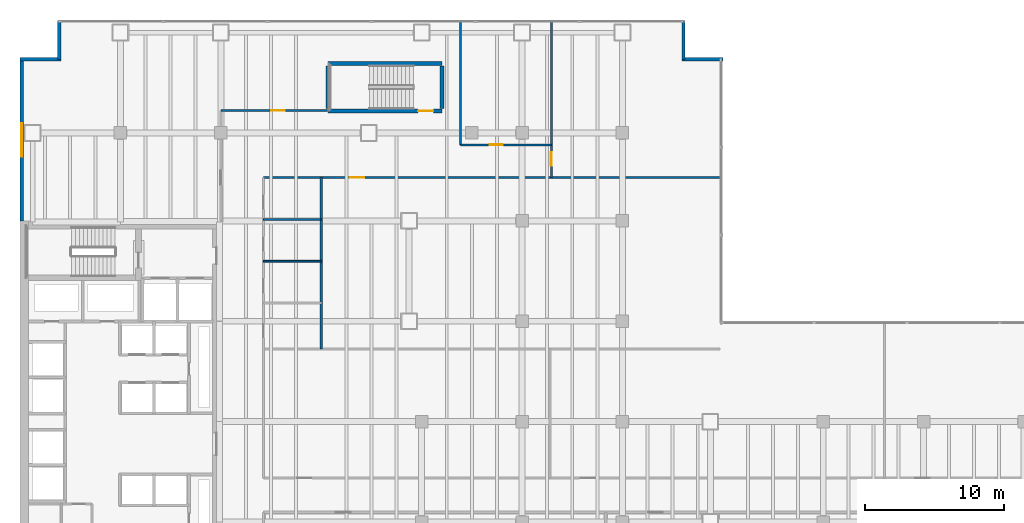
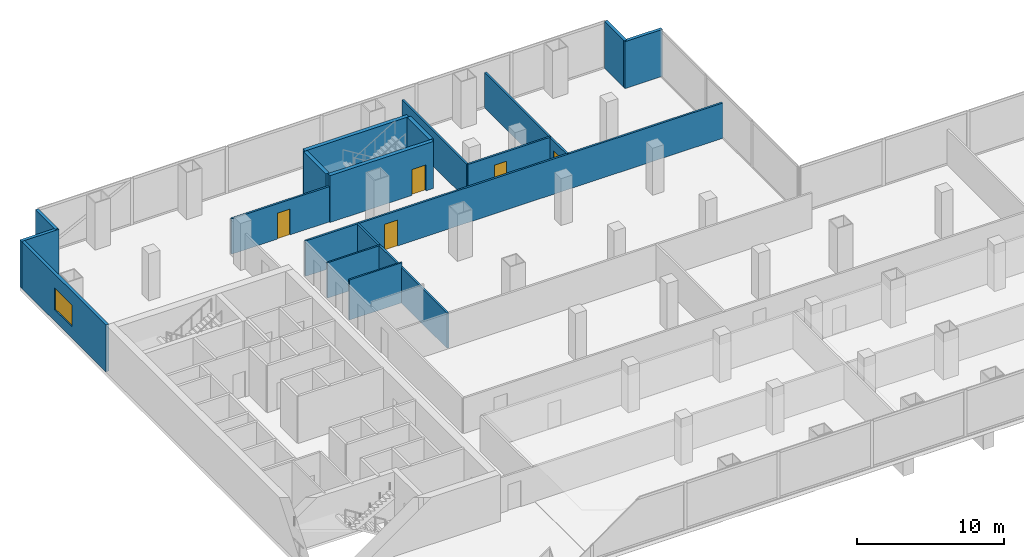
# One storey, part 29 of 34: 17 walls, 5 doors, 1 window, 6 openings.
"""IFC4 building model written with IfcOpenShell, lengths in metres."""

from ifc_helpers import new_model, si_unit, direction, frame, frame_2d, origin, place, context, subcontext, project, spatial, rectangle, extrude, material, layer, layer_set, type_object, element, fill, save


model = new_model("IFC4")

# Units and contexts
model_context = context("Model", 3, precision=1e-05, world=origin(), true_north=direction((0.0, 1.0)))
body_context = subcontext(model_context, "Body", "Model", "MODEL_VIEW")
ifc_project = project(units=[si_unit("LENGTHUNIT", "METRE"), si_unit("AREAUNIT", "SQUARE_METRE"), si_unit("VOLUMEUNIT", "CUBIC_METRE"), si_unit("PLANEANGLEUNIT", "RADIAN"), si_unit("MASSUNIT", "GRAM", prefix="KILO")], contexts=[model_context])

# Site, building, storey
site_placement = place(None, origin())
site = spatial("IfcSite", under=ifc_project, at=site_placement, CompositionType="ELEMENT")
building_placement = place(site_placement, origin())
building = spatial("IfcBuilding", under=site, at=building_placement, Name="Cobrela Telecom Tower", CompositionType="ELEMENT")
storey_placement = place(building_placement, frame((0.0, 0.0, 5.25)))
storey = spatial("IfcBuildingStorey", under=building, at=storey_placement, Name="L01", CompositionType="ELEMENT", Elevation=5.25)

# Wall, opening, window
ifc_material_1 = material(Name="Concrete C40/50", Category="concrete")
ifc_layer_1 = layer(ifc_material_1, 0.239990234375)
ifc_layer_set_1 = layer_set([ifc_layer_1], Name="Concrete C40/50")
wall_type_1 = type_object("IfcWallType", Name="WALL-EXT-300", PredefinedType="STANDARD", material=ifc_layer_set_1)
wall_1_placement = place(storey_placement, frame((0.1201171875, 36.0, 0.0), z_axis=(0.0, 0.0, 1.0), x_axis=(0.0, 1.0, 0.0)))
wall_1 = element("IfcWall", 1, at=wall_1_placement, inside=storey, type_object=wall_type_1, Name="L01 Insulated Facade Wall 04", PredefinedType="STANDARD", context=body_context, shape_type="SweptSolid", body=[
    extrude(rectangle(XDim=11.580078125, YDim=0.239990234375, at=frame_2d((5.7900390625, 0.0))), origin(), (0.0, 0.0, 1.0), 3.89990234375),
])
opening_1_placement = place(wall_1_placement, frame((4.590087890625, 0.0, 0.949951171875)))
opening_1 = element("IfcOpeningElement", 2, at=opening_1_placement, cuts=wall_1, Name="Opening WN-29", PredefinedType="OPENING", context=body_context, shape_type="SweptSolid", body=[
    extrude(rectangle(XDim=2.39990234375, YDim=1.800048828125, at=frame_2d((1.199951171875, 0.89990234375))), frame((0.0, 0.1318359375, 0.0), z_axis=(0.0, -1.0, 0.0), x_axis=(1.0, 0.0, 0.0)), (0.0, 0.0, 1.0), 0.263916015625),
])
ifc_material_2 = material(Name="Solar-Control Bronze Low-E Glass", Category="glass")
window_type = type_object("IfcWindowType", Name="WIN-MOD-2400", PartitioningType="SINGLE_PANEL", PredefinedType="WINDOW", material=ifc_material_2)
window_placement = place(opening_1_placement, origin())
window = element("IfcWindow", 3, at=window_placement, inside=storey, type_object=window_type, Name="L01 Modular Punched Facade Window 002", OverallHeight=1.800048828125, OverallWidth=2.39990234375, PartitioningType="SINGLE_PANEL", PredefinedType="WINDOW", context=body_context, shape_type="SweptSolid", body=[
    extrude(rectangle(XDim=2.39990234375, YDim=1.800048828125, at=frame_2d((1.199951171875, 0.89990234375))), frame((0.0, 0.030029296875, 0.0), z_axis=(0.0, -1.0, 0.0), x_axis=(1.0, 0.0, 0.0)), (0.0, 0.0, 1.0), 0.06005859375),
])
fill(opening_1, window)

# Walls
wall_2_placement = place(storey_placement, frame((0.0, 47.580078125, 0.0), z_axis=(0.0, 0.0, 1.0), x_axis=(1.0, 0.0, 0.0)))
element("IfcWall", 4, at=wall_2_placement, inside=storey, type_object=wall_type_1, Name="L01 Insulated Facade Wall 05", PredefinedType="STANDARD", context=body_context, shape_type="SweptSolid", body=[
    extrude(rectangle(XDim=2.93994140625, YDim=0.239990234375, at=frame_2d((1.469970703125, 0.0))), origin(), (0.0, 0.0, 1.0), 3.89990234375),
])
for number, where, z_axis, x_axis, name in (
    (5, (2.820068359375, 47.580078125, 0.0), (0.0, 0.0, 1.0), (0.0, 1.0, 0.0), "L01 Insulated Facade Wall 06"),
    (6, (47.580078125, 50.280029296875, 0.0), (0.0, 0.0, 1.0), (0.0, -1.0, 0.0), "L01 Insulated Facade Wall 08"),
):
    element("IfcWall", number, at=place(storey_placement, frame(where, z_axis=z_axis, x_axis=x_axis)), inside=storey, type_object=wall_type_1, Name=name, PredefinedType="STANDARD", context=body_context, shape_type="SweptSolid", body=[
        extrude(rectangle(XDim=2.699951171875, YDim=0.239990234375, at=frame_2d((1.35009765625, 0.0))), origin(), (0.0, 0.0, 1.0), 3.89990234375),
    ])
wall_3_placement = place(storey_placement, frame((47.4599609375, 47.580078125, 0.0), z_axis=(0.0, 0.0, 1.0), x_axis=(1.0, 0.0, 0.0)))
element("IfcWall", 7, at=wall_3_placement, inside=storey, type_object=wall_type_1, Name="L01 Insulated Facade Wall 09", PredefinedType="STANDARD", context=body_context, shape_type="SweptSolid", body=[
    extrude(rectangle(XDim=2.93994140625, YDim=0.239990234375, at=frame_2d((1.469970703125, 0.0))), origin(), (0.0, 0.0, 1.0), 3.89990234375),
])
ifc_material_3 = material(Name="Fire-Rated Gypsum Plasterboard")
ifc_layer_2 = layer(ifc_material_3, 0.125)
ifc_layer_set_2 = layer_set([ifc_layer_2], Name="Fire-Rated Gypsum Plasterboard")
wall_type_2 = type_object("IfcWallType", Name="WALL-PART-125", PredefinedType="PARTITIONING", material=ifc_layer_set_2)
wall_4_placement = place(storey_placement, frame((17.449951171875, 36.10009765625, 0.0), z_axis=(0.0, 0.0, 1.0), x_axis=(1.0, 0.0, 0.0)))
element("IfcWall", 8, at=wall_4_placement, inside=storey, type_object=wall_type_2, Name="L01 Interior Partition W-PWC-1", PredefinedType="PARTITIONING", context=body_context, shape_type="SweptSolid", body=[
    extrude(rectangle(XDim=4.150146484375, YDim=0.125, at=frame_2d((2.0751953125, 0.0))), origin(), (0.0, 0.0, 1.0), 2.93798828125),
])
wall_5_placement = place(storey_placement, frame((17.449951171875, 33.10009765625, 0.0), z_axis=(0.0, 0.0, 1.0), x_axis=(1.0, 0.0, 0.0)))
element("IfcWall", 9, at=wall_5_placement, inside=storey, type_object=wall_type_2, Name="L01 Interior Partition W-PWC-2", PredefinedType="PARTITIONING", context=body_context, shape_type="SweptSolid", body=[
    extrude(rectangle(XDim=4.150146484375, YDim=0.125, at=frame_2d((2.0751953125, 0.0))), origin(), (0.0, 0.0, 1.0), 3.3359375),
])

# Wall, opening, door
ifc_layer_3 = layer(ifc_material_3, 0.14990234375)
ifc_layer_set_3 = layer_set([ifc_layer_3], Name="Fire-Rated Gypsum Plasterboard")
wall_type_3 = type_object("IfcWallType", Name="WALL-PART-150", PredefinedType="PARTITIONING", material=ifc_layer_set_3)
wall_6_placement = place(storey_placement, frame((14.39990234375, 43.89990234375, 0.0), z_axis=(0.0, 0.0, 1.0), x_axis=(1.0, 0.0, 0.0)))
wall_6 = element("IfcWall", 10, at=wall_6_placement, inside=storey, type_object=wall_type_3, Name="L01 Interior Partition W-PC-N1", PredefinedType="PARTITIONING", context=body_context, shape_type="SweptSolid", body=[
    extrude(rectangle(XDim=7.7001953125, YDim=0.14990234375, at=frame_2d((3.85009765625, 0.0))), origin(), (0.0, 0.0, 1.0), 2.93798828125),
])
opening_2_placement = place(wall_6_placement, frame((3.60009765625, 0.0, 0.0)))
opening_2 = element("IfcOpeningElement", 11, at=opening_2_placement, cuts=wall_6, Name="Opening DR-31", PredefinedType="OPENING", context=body_context, shape_type="SweptSolid", body=[
    extrude(rectangle(XDim=1.0, YDim=2.14990234375, at=frame_2d((0.5, 1.074951171875))), frame((0.0, 0.0869140625, 0.0), z_axis=(0.0, -1.0, 0.0), x_axis=(1.0, 0.0, 0.0)), (0.0, 0.0, 1.0), 0.173828125),
])
ifc_material_4 = material(Name="Solid Engineered Oak Timber", Category="wood")
door_type_1 = type_object("IfcDoorType", Name="DOOR-INT-1000", OperationType="SINGLE_SWING_LEFT", PredefinedType="DOOR", material=ifc_material_4)
door_1_placement = place(opening_2_placement, origin())
door_1 = element("IfcDoor", 12, at=door_1_placement, inside=storey, type_object=door_type_1, Name="L01 Door DR-31", OperationType="SINGLE_SWING_LEFT", OverallHeight=2.14990234375, OverallWidth=1.0, PredefinedType="DOOR", context=body_context, shape_type="SweptSolid", body=[
    extrude(rectangle(XDim=1.0, YDim=2.14990234375, at=frame_2d((0.5, 1.074951171875))), frame((0.0, 0.02490234375, 0.0), z_axis=(0.0, -1.0, 0.0), x_axis=(1.0, 0.0, 0.0)), (0.0, 0.0, 1.0), 0.050048828125),
])
fill(opening_2, door_1)

wall_7_placement = place(storey_placement, frame((31.60009765625, 41.449951171875, 0.0), z_axis=(0.0, 0.0, 1.0), x_axis=(1.0, 0.0, 0.0)))
wall_7 = element("IfcWall", 13, at=wall_7_placement, inside=storey, type_object=wall_type_3, Name="L01 Interior Partition W-PC-N2C", PredefinedType="PARTITIONING", context=body_context, shape_type="SweptSolid", body=[
    extrude(rectangle(XDim=6.5, YDim=0.14990234375, at=frame_2d((3.25, 0.0))), origin(), (0.0, 0.0, 1.0), 2.93798828125),
])
opening_3_placement = place(wall_7_placement, frame((2.080078125, 0.0, 0.0)))
opening_3 = element("IfcOpeningElement", 14, at=opening_3_placement, cuts=wall_7, Name="Opening DR-67", PredefinedType="OPENING", context=body_context, shape_type="SweptSolid", body=[
    extrude(rectangle(XDim=0.949951171875, YDim=2.14990234375, at=frame_2d((0.47509765625, 1.074951171875))), frame((0.0, 0.0869140625, 0.0), z_axis=(0.0, -1.0, 0.0), x_axis=(1.0, 0.0, 0.0)), (0.0, 0.0, 1.0), 0.173828125),
])
door_type_2 = type_object("IfcDoorType", Name="DOOR-INT-950", OperationType="SINGLE_SWING_LEFT", PredefinedType="DOOR", material=ifc_material_4)
door_2_placement = place(opening_3_placement, origin())
door_2 = element("IfcDoor", 15, at=door_2_placement, inside=storey, type_object=door_type_2, Name="L01 Door DR-67", OperationType="SINGLE_SWING_RIGHT", OverallHeight=2.14990234375, OverallWidth=0.949951171875, PredefinedType="DOOR", context=body_context, shape_type="SweptSolid", body=[
    extrude(rectangle(XDim=0.949951171875, YDim=2.14990234375, at=frame_2d((0.47509765625, 1.074951171875))), frame((0.0, 0.02490234375, 0.0), z_axis=(0.0, -1.0, 0.0), x_axis=(1.0, 0.0, 0.0)), (0.0, 0.0, 1.0), 0.050048828125),
])
fill(opening_3, door_2)

wall_8_placement = place(storey_placement, frame((17.449951171875, 39.10009765625, 0.0), z_axis=(0.0, 0.0, 1.0), x_axis=(1.0, 0.0, 0.0)))
wall_8 = element("IfcWall", 16, at=wall_8_placement, inside=storey, type_object=wall_type_3, Name="L01 Interior Partition W-PC-N2B", PredefinedType="PARTITIONING", context=body_context, shape_type="SweptSolid", body=[
    extrude(rectangle(XDim=32.830078125, YDim=0.14990234375, at=frame_2d((16.4150390625, 0.0))), origin(), (0.0, 0.0, 1.0), 2.93798828125),
])
opening_4_placement = place(wall_8_placement, frame((6.199951171875, 0.0, 0.0)))
opening_4 = element("IfcOpeningElement", 17, at=opening_4_placement, cuts=wall_8, Name="Opening DR-29", PredefinedType="OPENING", context=body_context, shape_type="SweptSolid", body=[
    extrude(rectangle(XDim=1.050048828125, YDim=2.14990234375, at=frame_2d((0.52490234375, 1.074951171875))), frame((0.0, 0.0869140625, 0.0), z_axis=(0.0, -1.0, 0.0), x_axis=(1.0, 0.0, 0.0)), (0.0, 0.0, 1.0), 0.173828125),
])
door_type_3 = type_object("IfcDoorType", Name="DOOR-INT-1050", OperationType="SINGLE_SWING_LEFT", PredefinedType="DOOR", material=ifc_material_4)
door_3_placement = place(opening_4_placement, origin())
door_3 = element("IfcDoor", 18, at=door_3_placement, inside=storey, type_object=door_type_3, Name="L01 Door DR-29", OperationType="SINGLE_SWING_RIGHT", OverallHeight=2.14990234375, OverallWidth=1.050048828125, PredefinedType="DOOR", context=body_context, shape_type="SweptSolid", body=[
    extrude(rectangle(XDim=1.050048828125, YDim=2.14990234375, at=frame_2d((0.52490234375, 1.074951171875))), frame((0.0, 0.02490234375, 0.0), z_axis=(0.0, -1.0, 0.0), x_axis=(1.0, 0.0, 0.0)), (0.0, 0.0, 1.0), 0.050048828125),
])
fill(opening_4, door_3)

# Wall
wall_9_placement = place(storey_placement, frame((31.60009765625, 41.449951171875, 0.0), z_axis=(0.0, 0.0, 1.0), x_axis=(0.0, 1.0, 0.0)))
element("IfcWall", 19, at=wall_9_placement, inside=storey, type_object=wall_type_3, Name="L01 Interior Partition W-PC-N3M", PredefinedType="PARTITIONING", context=body_context, shape_type="SweptSolid", body=[
    extrude(rectangle(XDim=8.830078125, YDim=0.14990234375, at=frame_2d((4.4150390625, 0.0))), origin(), (0.0, 0.0, 1.0), 2.93798828125),
])

# Wall, opening, door
wall_10_placement = place(storey_placement, frame((38.10009765625, 39.10009765625, 0.0), z_axis=(0.0, 0.0, 1.0), x_axis=(0.0, 1.0, 0.0)))
wall_10 = element("IfcWall", 20, at=wall_10_placement, inside=storey, type_object=wall_type_3, Name="L01 Interior Partition W-PC-N3E", PredefinedType="PARTITIONING", context=body_context, shape_type="SweptSolid", body=[
    extrude(rectangle(XDim=11.179931640625, YDim=0.14990234375, at=frame_2d((5.58984375, 0.0))), origin(), (0.0, 0.0, 1.0), 2.93798828125),
])
opening_5_placement = place(wall_10_placement, frame((0.85009765625, 0.0, 0.0)))
opening_5 = element("IfcOpeningElement", 21, at=opening_5_placement, cuts=wall_10, Name="Opening DR-67", PredefinedType="OPENING", context=body_context, shape_type="SweptSolid", body=[
    extrude(rectangle(XDim=0.949951171875, YDim=2.14990234375, at=frame_2d((0.47509765625, 1.074951171875))), frame((0.0, 0.0869140625, 0.0), z_axis=(0.0, -1.0, 0.0), x_axis=(1.0, 0.0, 0.0)), (0.0, 0.0, 1.0), 0.173828125),
])
door_4_placement = place(opening_5_placement, origin())
door_4 = element("IfcDoor", 22, at=door_4_placement, inside=storey, type_object=door_type_2, Name="L01 Door DR-67", OperationType="SINGLE_SWING_LEFT", OverallHeight=2.14990234375, OverallWidth=0.949951171875, PredefinedType="DOOR", context=body_context, shape_type="SweptSolid", body=[
    extrude(rectangle(XDim=0.949951171875, YDim=2.14990234375, at=frame_2d((0.47509765625, 1.074951171875))), frame((0.0, 0.02490234375, 0.0), z_axis=(0.0, -1.0, 0.0), x_axis=(1.0, 0.0, 0.0)), (0.0, 0.0, 1.0), 0.050048828125),
])
fill(opening_5, door_4)

# Wall
wall_11_placement = place(storey_placement, frame((21.60009765625, 26.800048828125, 0.0), z_axis=(0.0, 0.0, 1.0), x_axis=(0.0, 1.0, 0.0)))
element("IfcWall", 23, at=wall_11_placement, inside=storey, type_object=wall_type_3, Name="L01 Interior Partition W-PWC-E", PredefinedType="PARTITIONING", context=body_context, shape_type="SweptSolid", body=[
    extrude(rectangle(XDim=12.300048828125, YDim=0.14990234375, at=frame_2d((6.14990234375, 0.0))), origin(), (0.0, 0.0, 1.0), 2.93798828125),
])

# Wall, opening, door
ifc_layer_4 = layer(ifc_material_1, 0.39990234375)
ifc_layer_set_4 = layer_set([ifc_layer_4], Name="Concrete C40/50")
wall_type_4 = type_object("IfcWallType", Name="WALL-SHAFT-C40-400", PredefinedType="SHEAR", material=ifc_layer_set_4)
wall_12_placement = place(storey_placement, frame((22.10009765625, 43.8798828125, 0.0), z_axis=(0.0, 0.0, 1.0), x_axis=(1.0, 0.0, 0.0)))
wall_12 = element("IfcWall", 24, at=wall_12_placement, inside=storey, type_object=wall_type_4, Name="L01 Podium Stair ST3 South Shear Wall", PredefinedType="SHEAR", context=body_context, shape_type="SweptSolid", body=[
    extrude(rectangle(XDim=8.14990234375, YDim=0.300048828125, at=frame_2d((4.074951171875, 0.0))), origin(), (0.0, 0.0, 1.0), 3.89990234375),
])
opening_6_placement = place(wall_12_placement, frame((6.449951171875, 0.0, 0.0)))
opening_6 = element("IfcOpeningElement", 25, at=opening_6_placement, cuts=wall_12, Name="Opening FD-90", PredefinedType="OPENING", context=body_context, shape_type="SweptSolid", body=[
    extrude(rectangle(XDim=1.10009765625, YDim=2.14990234375, at=frame_2d((0.550048828125, 1.074951171875))), frame((0.0, 0.162109375, 0.0), z_axis=(0.0, -1.0, 0.0), x_axis=(1.0, 0.0, 0.0)), (0.0, 0.0, 1.0), 0.323974609375),
])
ifc_material_5 = material(Name="Steel ASTM A36", Category="steel")
door_type_4 = type_object("IfcDoorType", Name="DOOR-FD90-1100", OperationType="SINGLE_SWING_LEFT", PredefinedType="DOOR", material=ifc_material_5)
door_5_placement = place(opening_6_placement, origin())
door_5 = element("IfcDoor", 26, at=door_5_placement, inside=storey, type_object=door_type_4, Name="L01 Door FD-90", OperationType="SINGLE_SWING_LEFT", OverallHeight=2.14990234375, OverallWidth=1.10009765625, PredefinedType="DOOR", context=body_context, shape_type="SweptSolid", body=[
    extrude(rectangle(XDim=1.10009765625, YDim=2.14990234375, at=frame_2d((0.550048828125, 1.074951171875))), frame((0.0, 0.02490234375, 0.0), z_axis=(0.0, -1.0, 0.0), x_axis=(1.0, 0.0, 0.0)), (0.0, 0.0, 1.0), 0.050048828125),
])
fill(opening_6, door_5)

# Walls
wall_13_placement = place(storey_placement, frame((22.10009765625, 47.27001953125, 0.0), z_axis=(0.0, 0.0, 1.0), x_axis=(1.0, 0.0, 0.0)))
element("IfcWall", 27, at=wall_13_placement, inside=storey, type_object=wall_type_4, Name="L01 Podium Stair ST3 North Shear Wall", PredefinedType="SHEAR", context=body_context, shape_type="SweptSolid", body=[
    extrude(rectangle(XDim=8.14990234375, YDim=0.300048828125, at=frame_2d((4.074951171875, 0.0))), origin(), (0.0, 0.0, 1.0), 3.89990234375),
])
for number, where, z_axis, x_axis, name in (
    (28, (22.10009765625, 44.050048828125, 0.0), (0.0, 0.0, 1.0), (0.0, 1.0, 0.0), "L01 Podium Stair ST3 West Shear Wall"),
    (29, (30.25, 44.050048828125, 0.0), (0.0, 0.0, 1.0), (0.0, 1.0, 0.0), "L01 Podium Stair ST3 East Shear Wall"),
):
    element("IfcWall", number, at=place(storey_placement, frame(where, z_axis=z_axis, x_axis=x_axis)), inside=storey, type_object=wall_type_4, Name=name, PredefinedType="SHEAR", context=body_context, shape_type="SweptSolid", body=[
        extrude(rectangle(XDim=3.050048828125, YDim=0.300048828125, at=frame_2d((1.52490234375, 0.0))), origin(), (0.0, 0.0, 1.0), 3.89990234375),
    ])

save(model, "model.ifc")
